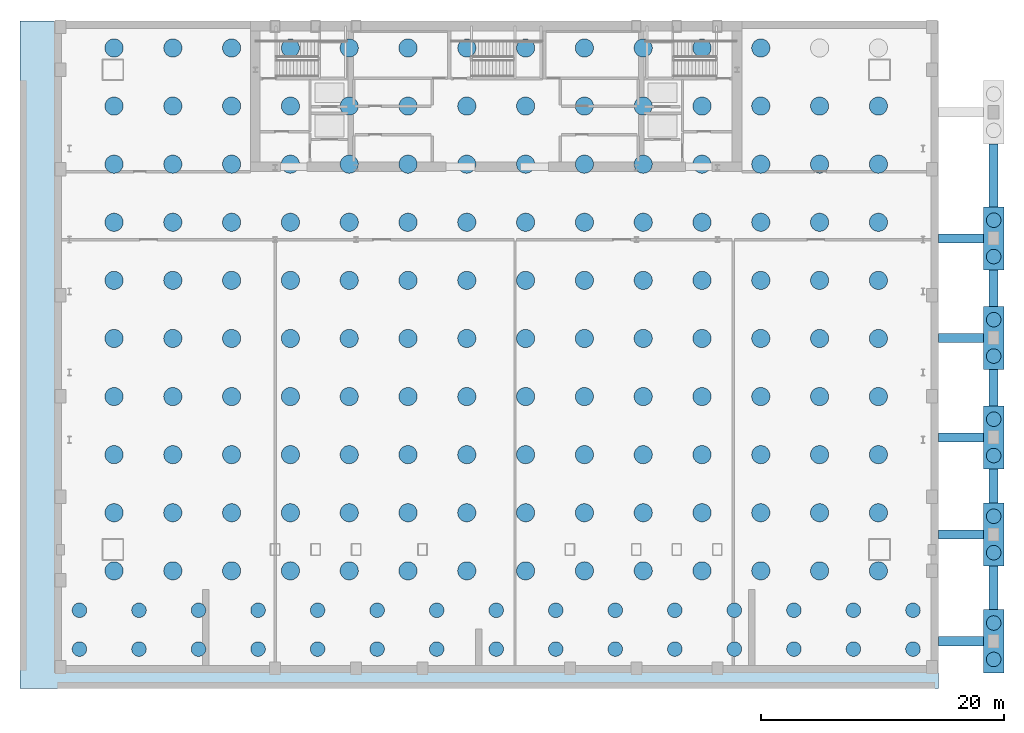
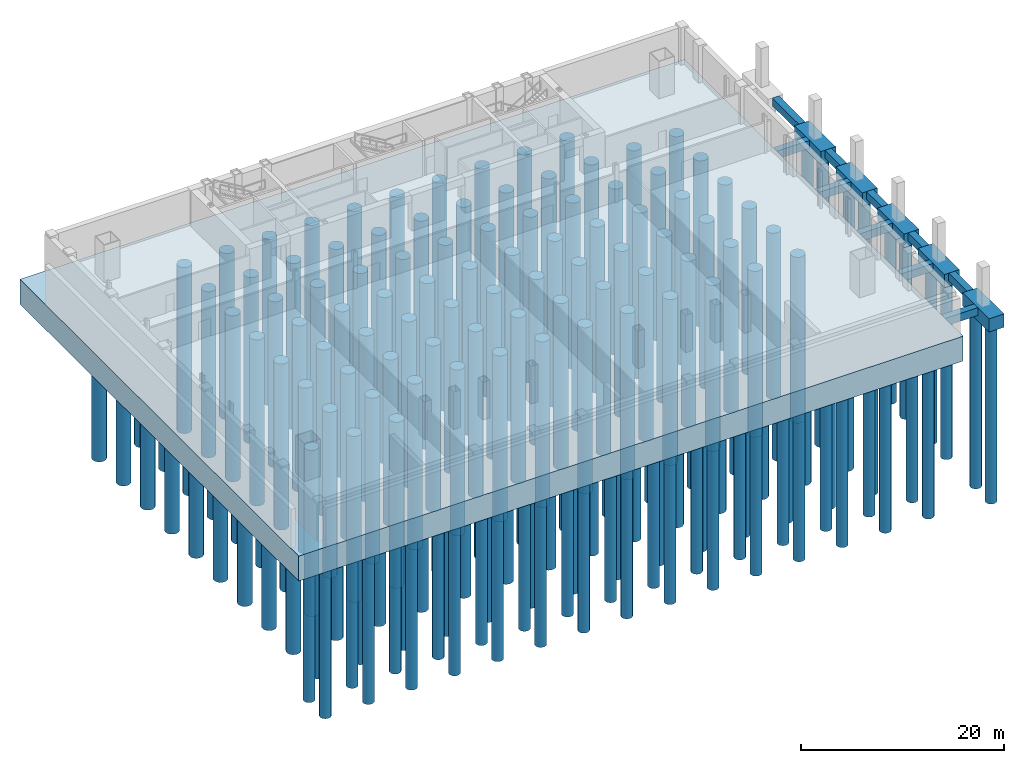
# One storey, part 1 of 11: 178 piles, 16 footings.
"""IFC4 building model written with IfcOpenShell, lengths in metres."""

from ifc_helpers import new_model, si_unit, direction, frame, origin, origin_2d, place, context, subcontext, project, spatial, polyline, rectangle, circle, outline, extrude, material, layer, layer_set, material_profile, profile_set, type_object, element, save


model = new_model("IFC4")

# Units and contexts
model_context = context("Model", 3, precision=1e-05, world=origin(), true_north=direction((0.0, 1.0)))
body_context = subcontext(model_context, "Body", "Model", "MODEL_VIEW")
ifc_project = project(units=[si_unit("LENGTHUNIT", "METRE"), si_unit("AREAUNIT", "SQUARE_METRE"), si_unit("VOLUMEUNIT", "CUBIC_METRE"), si_unit("PLANEANGLEUNIT", "RADIAN"), si_unit("MASSUNIT", "GRAM", prefix="KILO")], contexts=[model_context])

# Site, building, storey
site_placement = place(None, origin())
site = spatial("IfcSite", under=ifc_project, at=site_placement, CompositionType="ELEMENT")
building_placement = place(site_placement, origin())
building = spatial("IfcBuilding", under=site, at=building_placement, Name="Khoronbel Lancet Exchange", CompositionType="ELEMENT")
storey_placement = place(building_placement, frame((0.0, 0.0, -9.0)))
storey = spatial("IfcBuildingStorey", under=building, at=storey_placement, Name="B2", CompositionType="ELEMENT", Elevation=-9.0)

# Footings
ifc_material = material(Name="Concrete C50/60", Category="concrete")
ifc_material_profile_1 = material_profile(ifc_material, rectangle(XDim=0.75, YDim=0.949951171875, at=origin_2d()), Name="RC 750x950")
ifc_profile_set_1 = profile_set([ifc_material_profile_1], Name="Concrete C50/60")
footing_type_1 = type_object("IfcFootingType", Name="FT-GB1", PredefinedType="FOOTING_BEAM", material=ifc_profile_set_1)
for number, where, z_axis, x_axis, name in (
    (1, (72.89990234375, 2.60009765625, -0.675048828125), (1.0, 0.0, 0.0), (0.0, 1.0, 0.0), "Foundation tie beam GB-EW1"),
    (2, (72.89990234375, 11.39990234375, -0.675048828125), (1.0, 0.0, 0.0), (0.0, 1.0, 0.0), "Foundation tie beam GB-EW2"),
    (3, (72.89990234375, 19.39990234375, -0.675048828125), (1.0, 0.0, 0.0), (0.0, 1.0, 0.0), "Foundation tie beam GB-EW3"),
    (4, (72.89990234375, 27.60009765625, -0.675048828125), (1.0, 0.0, 0.0), (0.0, 1.0, 0.0), "Foundation tie beam GB-EW4"),
    (5, (72.89990234375, 35.800048828125, -0.675048828125), (1.0, 0.0, 0.0), (0.0, 1.0, 0.0), "Foundation tie beam GB-EW5"),
):
    element("IfcFooting", number, at=place(storey_placement, frame(where, z_axis=z_axis, x_axis=x_axis)), inside=storey, type_object=footing_type_1, Name=name, PredefinedType="FOOTING_BEAM", context=body_context, shape_type="SweptSolid", body=[
        extrude(rectangle(XDim=0.75, YDim=0.949951171875, at=origin_2d()), origin(), (0.0, 0.0, 1.0), 3.7001953125),
    ])
footing_1_placement = place(storey_placement, frame((77.449951171875, 5.199951171875, -0.675048828125), z_axis=(0.0, 1.0, 0.0), x_axis=(-1.0, 0.0, 0.0)))
element("IfcFooting", 6, at=footing_1_placement, inside=storey, type_object=footing_type_1, Name="Foundation tie beam GB-NS1", PredefinedType="FOOTING_BEAM", context=body_context, shape_type="SweptSolid", body=[
    extrude(rectangle(XDim=0.75, YDim=0.949951171875, at=origin_2d()), origin(), (0.0, 0.0, 1.0), 3.60009765625),
])
footing_2_placement = place(storey_placement, frame((77.449951171875, 14.0, -0.675048828125), z_axis=(0.0, 1.0, 0.0), x_axis=(-1.0, 0.0, 0.0)))
element("IfcFooting", 7, at=footing_2_placement, inside=storey, type_object=footing_type_1, Name="Foundation tie beam GB-NS2", PredefinedType="FOOTING_BEAM", context=body_context, shape_type="SweptSolid", body=[
    extrude(rectangle(XDim=0.75, YDim=0.949951171875, at=origin_2d()), origin(), (0.0, 0.0, 1.0), 2.800048828125),
])
for number, where, z_axis, x_axis, name in (
    (8, (77.449951171875, 22.0, -0.675048828125), (0.0, 1.0, 0.0), (-1.0, 0.0, 0.0), "Foundation tie beam GB-NS3"),
    (9, (77.449951171875, 30.199951171875, -0.675048828125), (0.0, 1.0, 0.0), (-1.0, 0.0, 0.0), "Foundation tie beam GB-NS4"),
):
    element("IfcFooting", number, at=place(storey_placement, frame(where, z_axis=z_axis, x_axis=x_axis)), inside=storey, type_object=footing_type_1, Name=name, PredefinedType="FOOTING_BEAM", context=body_context, shape_type="SweptSolid", body=[
        extrude(rectangle(XDim=0.75, YDim=0.949951171875, at=origin_2d()), origin(), (0.0, 0.0, 1.0), 3.0),
    ])
footing_3_placement = place(storey_placement, frame((77.449951171875, 38.39990234375, -0.675048828125), z_axis=(0.0, 1.0, 0.0), x_axis=(-1.0, 0.0, 0.0)))
element("IfcFooting", 10, at=footing_3_placement, inside=storey, type_object=footing_type_1, Name="Foundation tie beam GB-NS5", PredefinedType="FOOTING_BEAM", context=body_context, shape_type="SweptSolid", body=[
    extrude(rectangle(XDim=0.75, YDim=0.949951171875, at=origin_2d()), origin(), (0.0, 0.0, 1.0), 5.2001953125),
])
ifc_layer_1 = layer(ifc_material, 1.60009765625, Name="Concrete C50/60")
ifc_layer_set_1 = layer_set([ifc_layer_1], Name="Concrete C50/60")
footing_type_2 = type_object("IfcFootingType", Name="FT-PC2", PredefinedType="PILE_CAP", material=ifc_layer_set_1)
footing_4_placement = place(storey_placement, frame((0.0, 0.0, -1.800048828125)))
element("IfcFooting", 11, at=footing_4_placement, inside=storey, type_object=footing_type_2, Name="East colonnade pile cap PC1", PredefinedType="PILE_CAP", context=body_context, shape_type="SweptSolid", body=[
    extrude(outline(polyline([(76.60009765625, 0.0), (78.300048828125, 0.0), (78.300048828125, 5.199951171875), (76.60009765625, 5.199951171875), (76.60009765625, 0.0)])), origin(), (0.0, 0.0, 1.0), 1.60009765625),
])
footing_5_placement = place(storey_placement, frame((0.0, 0.0, -1.800048828125)))
element("IfcFooting", 12, at=footing_5_placement, inside=storey, type_object=footing_type_2, Name="East colonnade pile cap PC2", PredefinedType="PILE_CAP", context=body_context, shape_type="SweptSolid", body=[
    extrude(outline(polyline([(76.60009765625, 8.800048828125), (78.300048828125, 8.800048828125), (78.300048828125, 14.0), (76.60009765625, 14.0), (76.60009765625, 8.800048828125)])), origin(), (0.0, 0.0, 1.0), 1.60009765625),
])
footing_6_placement = place(storey_placement, frame((0.0, 0.0, -1.800048828125)))
element("IfcFooting", 13, at=footing_6_placement, inside=storey, type_object=footing_type_2, Name="East colonnade pile cap PC3", PredefinedType="PILE_CAP", context=body_context, shape_type="SweptSolid", body=[
    extrude(outline(polyline([(76.60009765625, 16.800048828125), (78.300048828125, 16.800048828125), (78.300048828125, 22.0), (76.60009765625, 22.0), (76.60009765625, 16.800048828125)])), origin(), (0.0, 0.0, 1.0), 1.60009765625),
])
footing_7_placement = place(storey_placement, frame((0.0, 0.0, -1.800048828125)))
element("IfcFooting", 14, at=footing_7_placement, inside=storey, type_object=footing_type_2, Name="East colonnade pile cap PC4", PredefinedType="PILE_CAP", context=body_context, shape_type="SweptSolid", body=[
    extrude(outline(polyline([(76.60009765625, 25.0), (78.300048828125, 25.0), (78.300048828125, 30.199951171875), (76.60009765625, 30.199951171875), (76.60009765625, 25.0)])), origin(), (0.0, 0.0, 1.0), 1.60009765625),
])
footing_8_placement = place(storey_placement, frame((0.0, 0.0, -1.800048828125)))
element("IfcFooting", 15, at=footing_8_placement, inside=storey, type_object=footing_type_2, Name="East colonnade pile cap PC5", PredefinedType="PILE_CAP", context=body_context, shape_type="SweptSolid", body=[
    extrude(outline(polyline([(76.60009765625, 33.199951171875), (78.300048828125, 33.199951171875), (78.300048828125, 38.39990234375), (76.60009765625, 38.39990234375), (76.60009765625, 33.199951171875)])), origin(), (0.0, 0.0, 1.0), 1.60009765625),
])
ifc_layer_2 = layer(ifc_material, 3.0, Name="Concrete C50/60")
ifc_layer_set_2 = layer_set([ifc_layer_2], Name="Concrete C50/60")
footing_type_3 = type_object("IfcFootingType", Name="FT-RF1", PredefinedType="PILE_CAP", material=ifc_layer_set_2)
footing_9_placement = place(storey_placement, frame((0.0, 0.0, -3.199951171875)))
element("IfcFooting", 16, at=footing_9_placement, inside=storey, type_object=footing_type_3, Name="Unified tower and podium piled raft RF1", PredefinedType="PILE_CAP", context=body_context, shape_type="SweptSolid", body=[
    extrude(outline(polyline([(-2.800048828125, -1.300048828125), (72.89990234375, -1.300048828125), (72.89990234375, 53.699951171875), (-2.800048828125, 53.699951171875), (-2.800048828125, -1.300048828125)])), origin(), (0.0, 0.0, 1.0), 3.0),
])

# Piles
ifc_material_profile_2 = material_profile(ifc_material, circle(Radius=0.60009765625, at=origin_2d()), Name="BORED PILE D1200")
ifc_profile_set_2 = profile_set([ifc_material_profile_2], Name="Concrete C50/60")
pile_type_1 = type_object("IfcPileType", Name="PL-P1", PredefinedType="BORED", material=ifc_profile_set_2)
for number, where, z_axis, x_axis, name in (
    (17, (77.449951171875, 1.10009765625, -1.64990234375), (0.0, 0.0, -1.0), (1.0, 0.0, 0.0), "Bored pile P1-PC1-1"),
    (18, (77.449951171875, 4.10009765625, -1.64990234375), (0.0, 0.0, -1.0), (1.0, 0.0, 0.0), "Bored pile P1-PC1-2"),
    (19, (77.449951171875, 9.89990234375, -1.64990234375), (0.0, 0.0, -1.0), (1.0, 0.0, 0.0), "Bored pile P1-PC2-1"),
    (20, (77.449951171875, 12.89990234375, -1.64990234375), (0.0, 0.0, -1.0), (1.0, 0.0, 0.0), "Bored pile P1-PC2-2"),
    (21, (77.449951171875, 17.89990234375, -1.64990234375), (0.0, 0.0, -1.0), (1.0, 0.0, 0.0), "Bored pile P1-PC3-1"),
    (22, (77.449951171875, 20.89990234375, -1.64990234375), (0.0, 0.0, -1.0), (1.0, 0.0, 0.0), "Bored pile P1-PC3-2"),
    (23, (77.449951171875, 26.10009765625, -1.64990234375), (0.0, 0.0, -1.0), (1.0, 0.0, 0.0), "Bored pile P1-PC4-1"),
    (24, (77.449951171875, 29.10009765625, -1.64990234375), (0.0, 0.0, -1.0), (1.0, 0.0, 0.0), "Bored pile P1-PC4-2"),
    (25, (77.449951171875, 34.300048828125, -1.64990234375), (0.0, 0.0, -1.0), (1.0, 0.0, 0.0), "Bored pile P1-PC5-1"),
    (26, (77.449951171875, 37.300048828125, -1.64990234375), (0.0, 0.0, -1.0), (1.0, 0.0, 0.0), "Bored pile P1-PC5-2"),
):
    element("IfcPile", number, at=place(storey_placement, frame(where, z_axis=z_axis, x_axis=x_axis)), inside=storey, type_object=pile_type_1, Name=name, PredefinedType="BORED", context=body_context, shape_type="SweptSolid", body=[
        extrude(circle(Radius=0.60009765625, at=origin_2d()), origin(), (0.0, 0.0, 1.0), 21.39990234375),
    ])
for number, where, z_axis, x_axis, name in (
    (27, (2.10009765625, 1.949951171875, -3.050048828125), (0.0, 0.0, -1.0), (1.0, 0.0, 0.0), "Podium raft bored pile P1-001"),
    (28, (7.007080078125, 1.949951171875, -3.050048828125), (0.0, 0.0, -1.0), (1.0, 0.0, 0.0), "Podium raft bored pile P1-002"),
    (29, (11.9140625, 1.949951171875, -3.050048828125), (0.0, 0.0, -1.0), (1.0, 0.0, 0.0), "Podium raft bored pile P1-003"),
    (30, (16.821044921875, 1.949951171875, -3.050048828125), (0.0, 0.0, -1.0), (1.0, 0.0, 0.0), "Podium raft bored pile P1-004"),
    (31, (21.72802734375, 1.949951171875, -3.050048828125), (0.0, 0.0, -1.0), (1.0, 0.0, 0.0), "Podium raft bored pile P1-005"),
    (32, (26.635009765625, 1.949951171875, -3.050048828125), (0.0, 0.0, -1.0), (1.0, 0.0, 0.0), "Podium raft bored pile P1-006"),
    (33, (31.5419921875, 1.949951171875, -3.050048828125), (0.0, 0.0, -1.0), (1.0, 0.0, 0.0), "Podium raft bored pile P1-007"),
    (34, (36.448974609375, 1.949951171875, -3.050048828125), (0.0, 0.0, -1.0), (1.0, 0.0, 0.0), "Podium raft bored pile P1-008"),
    (35, (41.35595703125, 1.949951171875, -3.050048828125), (0.0, 0.0, -1.0), (1.0, 0.0, 0.0), "Podium raft bored pile P1-009"),
    (36, (46.262939453125, 1.949951171875, -3.050048828125), (0.0, 0.0, -1.0), (1.0, 0.0, 0.0), "Podium raft bored pile P1-010"),
    (37, (51.169921875, 1.949951171875, -3.050048828125), (0.0, 0.0, -1.0), (1.0, 0.0, 0.0), "Podium raft bored pile P1-011"),
    (38, (56.076904296875, 1.949951171875, -3.050048828125), (0.0, 0.0, -1.0), (1.0, 0.0, 0.0), "Podium raft bored pile P1-012"),
    (39, (60.98388671875, 1.949951171875, -3.050048828125), (0.0, 0.0, -1.0), (1.0, 0.0, 0.0), "Podium raft bored pile P1-013"),
    (40, (65.89111328125, 1.949951171875, -3.050048828125), (0.0, 0.0, -1.0), (1.0, 0.0, 0.0), "Podium raft bored pile P1-014"),
    (41, (70.798095703125, 1.949951171875, -3.050048828125), (0.0, 0.0, -1.0), (1.0, 0.0, 0.0), "Podium raft bored pile P1-015"),
    (42, (2.10009765625, 5.14990234375, -3.050048828125), (0.0, 0.0, -1.0), (1.0, 0.0, 0.0), "Podium raft bored pile P1-016"),
    (43, (7.007080078125, 5.14990234375, -3.050048828125), (0.0, 0.0, -1.0), (1.0, 0.0, 0.0), "Podium raft bored pile P1-017"),
    (44, (11.9140625, 5.14990234375, -3.050048828125), (0.0, 0.0, -1.0), (1.0, 0.0, 0.0), "Podium raft bored pile P1-018"),
    (45, (16.821044921875, 5.14990234375, -3.050048828125), (0.0, 0.0, -1.0), (1.0, 0.0, 0.0), "Podium raft bored pile P1-019"),
    (46, (21.72802734375, 5.14990234375, -3.050048828125), (0.0, 0.0, -1.0), (1.0, 0.0, 0.0), "Podium raft bored pile P1-020"),
    (47, (26.635009765625, 5.14990234375, -3.050048828125), (0.0, 0.0, -1.0), (1.0, 0.0, 0.0), "Podium raft bored pile P1-021"),
    (48, (31.5419921875, 5.14990234375, -3.050048828125), (0.0, 0.0, -1.0), (1.0, 0.0, 0.0), "Podium raft bored pile P1-022"),
    (49, (36.448974609375, 5.14990234375, -3.050048828125), (0.0, 0.0, -1.0), (1.0, 0.0, 0.0), "Podium raft bored pile P1-023"),
    (50, (41.35595703125, 5.14990234375, -3.050048828125), (0.0, 0.0, -1.0), (1.0, 0.0, 0.0), "Podium raft bored pile P1-024"),
    (51, (46.262939453125, 5.14990234375, -3.050048828125), (0.0, 0.0, -1.0), (1.0, 0.0, 0.0), "Podium raft bored pile P1-025"),
    (52, (51.169921875, 5.14990234375, -3.050048828125), (0.0, 0.0, -1.0), (1.0, 0.0, 0.0), "Podium raft bored pile P1-026"),
    (53, (56.076904296875, 5.14990234375, -3.050048828125), (0.0, 0.0, -1.0), (1.0, 0.0, 0.0), "Podium raft bored pile P1-027"),
    (54, (60.98388671875, 5.14990234375, -3.050048828125), (0.0, 0.0, -1.0), (1.0, 0.0, 0.0), "Podium raft bored pile P1-028"),
    (55, (65.89111328125, 5.14990234375, -3.050048828125), (0.0, 0.0, -1.0), (1.0, 0.0, 0.0), "Podium raft bored pile P1-029"),
    (56, (70.798095703125, 5.14990234375, -3.050048828125), (0.0, 0.0, -1.0), (1.0, 0.0, 0.0), "Podium raft bored pile P1-030"),
):
    element("IfcPile", number, at=place(storey_placement, frame(where, z_axis=z_axis, x_axis=x_axis)), inside=storey, type_object=pile_type_1, Name=name, PredefinedType="BORED", context=body_context, shape_type="SweptSolid", body=[
        extrude(circle(Radius=0.60009765625, at=origin_2d()), origin(), (0.0, 0.0, 1.0), 20.0),
    ])
ifc_material_profile_3 = material_profile(ifc_material, circle(Radius=0.75, at=origin_2d()), Name="BORED PILE D1500")
ifc_profile_set_3 = profile_set([ifc_material_profile_3], Name="Concrete C50/60")
pile_type_2 = type_object("IfcPileType", Name="PL-P2", PredefinedType="BORED", material=ifc_profile_set_3)
for number, where, z_axis, x_axis, name in (
    (57, (4.949951171875, 8.39990234375, -3.050048828125), (0.0, 0.0, -1.0), (1.0, 0.0, 0.0), "Tower raft bored pile P2-001"),
    (58, (4.949951171875, 13.18798828125, -3.050048828125), (0.0, 0.0, -1.0), (1.0, 0.0, 0.0), "Tower raft bored pile P2-002"),
    (59, (4.949951171875, 17.97607421875, -3.050048828125), (0.0, 0.0, -1.0), (1.0, 0.0, 0.0), "Tower raft bored pile P2-003"),
    (60, (4.949951171875, 22.763916015625, -3.050048828125), (0.0, 0.0, -1.0), (1.0, 0.0, 0.0), "Tower raft bored pile P2-004"),
    (61, (4.949951171875, 27.552001953125, -3.050048828125), (0.0, 0.0, -1.0), (1.0, 0.0, 0.0), "Tower raft bored pile P2-005"),
    (62, (4.949951171875, 32.340087890625, -3.050048828125), (0.0, 0.0, -1.0), (1.0, 0.0, 0.0), "Tower raft bored pile P2-006"),
    (63, (4.949951171875, 37.1279296875, -3.050048828125), (0.0, 0.0, -1.0), (1.0, 0.0, 0.0), "Tower raft bored pile P2-007"),
    (64, (4.949951171875, 41.916015625, -3.050048828125), (0.0, 0.0, -1.0), (1.0, 0.0, 0.0), "Tower raft bored pile P2-008"),
    (65, (4.949951171875, 46.7041015625, -3.050048828125), (0.0, 0.0, -1.0), (1.0, 0.0, 0.0), "Tower raft bored pile P2-009"),
    (66, (4.949951171875, 51.491943359375, -3.050048828125), (0.0, 0.0, -1.0), (1.0, 0.0, 0.0), "Tower raft bored pile P2-010"),
    (67, (9.7958984375, 8.39990234375, -3.050048828125), (0.0, 0.0, -1.0), (1.0, 0.0, 0.0), "Tower raft bored pile P2-011"),
    (68, (9.7958984375, 13.18798828125, -3.050048828125), (0.0, 0.0, -1.0), (1.0, 0.0, 0.0), "Tower raft bored pile P2-012"),
    (69, (9.7958984375, 17.97607421875, -3.050048828125), (0.0, 0.0, -1.0), (1.0, 0.0, 0.0), "Tower raft bored pile P2-013"),
    (70, (9.7958984375, 22.763916015625, -3.050048828125), (0.0, 0.0, -1.0), (1.0, 0.0, 0.0), "Tower raft bored pile P2-014"),
    (71, (9.7958984375, 27.552001953125, -3.050048828125), (0.0, 0.0, -1.0), (1.0, 0.0, 0.0), "Tower raft bored pile P2-015"),
    (72, (9.7958984375, 32.340087890625, -3.050048828125), (0.0, 0.0, -1.0), (1.0, 0.0, 0.0), "Tower raft bored pile P2-016"),
    (73, (9.7958984375, 37.1279296875, -3.050048828125), (0.0, 0.0, -1.0), (1.0, 0.0, 0.0), "Tower raft bored pile P2-017"),
    (74, (9.7958984375, 41.916015625, -3.050048828125), (0.0, 0.0, -1.0), (1.0, 0.0, 0.0), "Tower raft bored pile P2-018"),
    (75, (9.7958984375, 46.7041015625, -3.050048828125), (0.0, 0.0, -1.0), (1.0, 0.0, 0.0), "Tower raft bored pile P2-019"),
    (76, (9.7958984375, 51.491943359375, -3.050048828125), (0.0, 0.0, -1.0), (1.0, 0.0, 0.0), "Tower raft bored pile P2-020"),
    (77, (14.64208984375, 8.39990234375, -3.050048828125), (0.0, 0.0, -1.0), (1.0, 0.0, 0.0), "Tower raft bored pile P2-021"),
    (78, (14.64208984375, 13.18798828125, -3.050048828125), (0.0, 0.0, -1.0), (1.0, 0.0, 0.0), "Tower raft bored pile P2-022"),
    (79, (14.64208984375, 17.97607421875, -3.050048828125), (0.0, 0.0, -1.0), (1.0, 0.0, 0.0), "Tower raft bored pile P2-023"),
    (80, (14.64208984375, 22.763916015625, -3.050048828125), (0.0, 0.0, -1.0), (1.0, 0.0, 0.0), "Tower raft bored pile P2-024"),
    (81, (14.64208984375, 27.552001953125, -3.050048828125), (0.0, 0.0, -1.0), (1.0, 0.0, 0.0), "Tower raft bored pile P2-025"),
    (82, (14.64208984375, 32.340087890625, -3.050048828125), (0.0, 0.0, -1.0), (1.0, 0.0, 0.0), "Tower raft bored pile P2-026"),
    (83, (14.64208984375, 37.1279296875, -3.050048828125), (0.0, 0.0, -1.0), (1.0, 0.0, 0.0), "Tower raft bored pile P2-027"),
    (84, (14.64208984375, 41.916015625, -3.050048828125), (0.0, 0.0, -1.0), (1.0, 0.0, 0.0), "Tower raft bored pile P2-028"),
    (85, (14.64208984375, 46.7041015625, -3.050048828125), (0.0, 0.0, -1.0), (1.0, 0.0, 0.0), "Tower raft bored pile P2-029"),
    (86, (14.64208984375, 51.491943359375, -3.050048828125), (0.0, 0.0, -1.0), (1.0, 0.0, 0.0), "Tower raft bored pile P2-030"),
    (87, (19.488037109375, 8.39990234375, -3.050048828125), (0.0, 0.0, -1.0), (1.0, 0.0, 0.0), "Tower raft bored pile P2-031"),
    (88, (19.488037109375, 13.18798828125, -3.050048828125), (0.0, 0.0, -1.0), (1.0, 0.0, 0.0), "Tower raft bored pile P2-032"),
    (89, (19.488037109375, 17.97607421875, -3.050048828125), (0.0, 0.0, -1.0), (1.0, 0.0, 0.0), "Tower raft bored pile P2-033"),
    (90, (19.488037109375, 22.763916015625, -3.050048828125), (0.0, 0.0, -1.0), (1.0, 0.0, 0.0), "Tower raft bored pile P2-034"),
    (91, (19.488037109375, 27.552001953125, -3.050048828125), (0.0, 0.0, -1.0), (1.0, 0.0, 0.0), "Tower raft bored pile P2-035"),
    (92, (19.488037109375, 32.340087890625, -3.050048828125), (0.0, 0.0, -1.0), (1.0, 0.0, 0.0), "Tower raft bored pile P2-036"),
    (93, (19.488037109375, 37.1279296875, -3.050048828125), (0.0, 0.0, -1.0), (1.0, 0.0, 0.0), "Tower raft bored pile P2-037"),
    (94, (19.488037109375, 41.916015625, -3.050048828125), (0.0, 0.0, -1.0), (1.0, 0.0, 0.0), "Tower raft bored pile P2-038"),
    (95, (19.488037109375, 46.7041015625, -3.050048828125), (0.0, 0.0, -1.0), (1.0, 0.0, 0.0), "Tower raft bored pile P2-039"),
    (96, (19.488037109375, 51.491943359375, -3.050048828125), (0.0, 0.0, -1.0), (1.0, 0.0, 0.0), "Tower raft bored pile P2-040"),
    (97, (24.333984375, 8.39990234375, -3.050048828125), (0.0, 0.0, -1.0), (1.0, 0.0, 0.0), "Tower raft bored pile P2-041"),
    (98, (24.333984375, 13.18798828125, -3.050048828125), (0.0, 0.0, -1.0), (1.0, 0.0, 0.0), "Tower raft bored pile P2-042"),
    (99, (24.333984375, 17.97607421875, -3.050048828125), (0.0, 0.0, -1.0), (1.0, 0.0, 0.0), "Tower raft bored pile P2-043"),
    (100, (24.333984375, 22.763916015625, -3.050048828125), (0.0, 0.0, -1.0), (1.0, 0.0, 0.0), "Tower raft bored pile P2-044"),
    (101, (24.333984375, 27.552001953125, -3.050048828125), (0.0, 0.0, -1.0), (1.0, 0.0, 0.0), "Tower raft bored pile P2-045"),
    (102, (24.333984375, 32.340087890625, -3.050048828125), (0.0, 0.0, -1.0), (1.0, 0.0, 0.0), "Tower raft bored pile P2-046"),
    (103, (24.333984375, 37.1279296875, -3.050048828125), (0.0, 0.0, -1.0), (1.0, 0.0, 0.0), "Tower raft bored pile P2-047"),
    (104, (24.333984375, 41.916015625, -3.050048828125), (0.0, 0.0, -1.0), (1.0, 0.0, 0.0), "Tower raft bored pile P2-048"),
    (105, (24.333984375, 46.7041015625, -3.050048828125), (0.0, 0.0, -1.0), (1.0, 0.0, 0.0), "Tower raft bored pile P2-049"),
    (106, (24.333984375, 51.491943359375, -3.050048828125), (0.0, 0.0, -1.0), (1.0, 0.0, 0.0), "Tower raft bored pile P2-050"),
    (107, (29.179931640625, 8.39990234375, -3.050048828125), (0.0, 0.0, -1.0), (1.0, 0.0, 0.0), "Tower raft bored pile P2-051"),
    (108, (29.179931640625, 13.18798828125, -3.050048828125), (0.0, 0.0, -1.0), (1.0, 0.0, 0.0), "Tower raft bored pile P2-052"),
    (109, (29.179931640625, 17.97607421875, -3.050048828125), (0.0, 0.0, -1.0), (1.0, 0.0, 0.0), "Tower raft bored pile P2-053"),
    (110, (29.179931640625, 22.763916015625, -3.050048828125), (0.0, 0.0, -1.0), (1.0, 0.0, 0.0), "Tower raft bored pile P2-054"),
    (111, (29.179931640625, 27.552001953125, -3.050048828125), (0.0, 0.0, -1.0), (1.0, 0.0, 0.0), "Tower raft bored pile P2-055"),
    (112, (29.179931640625, 32.340087890625, -3.050048828125), (0.0, 0.0, -1.0), (1.0, 0.0, 0.0), "Tower raft bored pile P2-056"),
    (113, (29.179931640625, 37.1279296875, -3.050048828125), (0.0, 0.0, -1.0), (1.0, 0.0, 0.0), "Tower raft bored pile P2-057"),
    (114, (29.179931640625, 41.916015625, -3.050048828125), (0.0, 0.0, -1.0), (1.0, 0.0, 0.0), "Tower raft bored pile P2-058"),
    (115, (29.179931640625, 46.7041015625, -3.050048828125), (0.0, 0.0, -1.0), (1.0, 0.0, 0.0), "Tower raft bored pile P2-059"),
    (116, (29.179931640625, 51.491943359375, -3.050048828125), (0.0, 0.0, -1.0), (1.0, 0.0, 0.0), "Tower raft bored pile P2-060"),
    (117, (34.02587890625, 8.39990234375, -3.050048828125), (0.0, 0.0, -1.0), (1.0, 0.0, 0.0), "Tower raft bored pile P2-061"),
    (118, (34.02587890625, 13.18798828125, -3.050048828125), (0.0, 0.0, -1.0), (1.0, 0.0, 0.0), "Tower raft bored pile P2-062"),
    (119, (34.02587890625, 17.97607421875, -3.050048828125), (0.0, 0.0, -1.0), (1.0, 0.0, 0.0), "Tower raft bored pile P2-063"),
    (120, (34.02587890625, 22.763916015625, -3.050048828125), (0.0, 0.0, -1.0), (1.0, 0.0, 0.0), "Tower raft bored pile P2-064"),
    (121, (34.02587890625, 27.552001953125, -3.050048828125), (0.0, 0.0, -1.0), (1.0, 0.0, 0.0), "Tower raft bored pile P2-065"),
    (122, (34.02587890625, 32.340087890625, -3.050048828125), (0.0, 0.0, -1.0), (1.0, 0.0, 0.0), "Tower raft bored pile P2-066"),
    (123, (34.02587890625, 37.1279296875, -3.050048828125), (0.0, 0.0, -1.0), (1.0, 0.0, 0.0), "Tower raft bored pile P2-067"),
    (124, (34.02587890625, 41.916015625, -3.050048828125), (0.0, 0.0, -1.0), (1.0, 0.0, 0.0), "Tower raft bored pile P2-068"),
    (125, (34.02587890625, 46.7041015625, -3.050048828125), (0.0, 0.0, -1.0), (1.0, 0.0, 0.0), "Tower raft bored pile P2-069"),
    (126, (34.02587890625, 51.491943359375, -3.050048828125), (0.0, 0.0, -1.0), (1.0, 0.0, 0.0), "Tower raft bored pile P2-070"),
    (127, (38.8720703125, 8.39990234375, -3.050048828125), (0.0, 0.0, -1.0), (1.0, 0.0, 0.0), "Tower raft bored pile P2-071"),
    (128, (38.8720703125, 13.18798828125, -3.050048828125), (0.0, 0.0, -1.0), (1.0, 0.0, 0.0), "Tower raft bored pile P2-072"),
    (129, (38.8720703125, 17.97607421875, -3.050048828125), (0.0, 0.0, -1.0), (1.0, 0.0, 0.0), "Tower raft bored pile P2-073"),
    (130, (38.8720703125, 22.763916015625, -3.050048828125), (0.0, 0.0, -1.0), (1.0, 0.0, 0.0), "Tower raft bored pile P2-074"),
    (131, (38.8720703125, 27.552001953125, -3.050048828125), (0.0, 0.0, -1.0), (1.0, 0.0, 0.0), "Tower raft bored pile P2-075"),
    (132, (38.8720703125, 32.340087890625, -3.050048828125), (0.0, 0.0, -1.0), (1.0, 0.0, 0.0), "Tower raft bored pile P2-076"),
    (133, (38.8720703125, 37.1279296875, -3.050048828125), (0.0, 0.0, -1.0), (1.0, 0.0, 0.0), "Tower raft bored pile P2-077"),
    (134, (38.8720703125, 41.916015625, -3.050048828125), (0.0, 0.0, -1.0), (1.0, 0.0, 0.0), "Tower raft bored pile P2-078"),
    (135, (38.8720703125, 46.7041015625, -3.050048828125), (0.0, 0.0, -1.0), (1.0, 0.0, 0.0), "Tower raft bored pile P2-079"),
    (136, (38.8720703125, 51.491943359375, -3.050048828125), (0.0, 0.0, -1.0), (1.0, 0.0, 0.0), "Tower raft bored pile P2-080"),
    (137, (43.718017578125, 8.39990234375, -3.050048828125), (0.0, 0.0, -1.0), (1.0, 0.0, 0.0), "Tower raft bored pile P2-081"),
    (138, (43.718017578125, 13.18798828125, -3.050048828125), (0.0, 0.0, -1.0), (1.0, 0.0, 0.0), "Tower raft bored pile P2-082"),
    (139, (43.718017578125, 17.97607421875, -3.050048828125), (0.0, 0.0, -1.0), (1.0, 0.0, 0.0), "Tower raft bored pile P2-083"),
    (140, (43.718017578125, 22.763916015625, -3.050048828125), (0.0, 0.0, -1.0), (1.0, 0.0, 0.0), "Tower raft bored pile P2-084"),
    (141, (43.718017578125, 27.552001953125, -3.050048828125), (0.0, 0.0, -1.0), (1.0, 0.0, 0.0), "Tower raft bored pile P2-085"),
    (142, (43.718017578125, 32.340087890625, -3.050048828125), (0.0, 0.0, -1.0), (1.0, 0.0, 0.0), "Tower raft bored pile P2-086"),
    (143, (43.718017578125, 37.1279296875, -3.050048828125), (0.0, 0.0, -1.0), (1.0, 0.0, 0.0), "Tower raft bored pile P2-087"),
    (144, (43.718017578125, 41.916015625, -3.050048828125), (0.0, 0.0, -1.0), (1.0, 0.0, 0.0), "Tower raft bored pile P2-088"),
    (145, (43.718017578125, 46.7041015625, -3.050048828125), (0.0, 0.0, -1.0), (1.0, 0.0, 0.0), "Tower raft bored pile P2-089"),
    (146, (43.718017578125, 51.491943359375, -3.050048828125), (0.0, 0.0, -1.0), (1.0, 0.0, 0.0), "Tower raft bored pile P2-090"),
    (147, (48.56396484375, 8.39990234375, -3.050048828125), (0.0, 0.0, -1.0), (1.0, 0.0, 0.0), "Tower raft bored pile P2-091"),
    (148, (48.56396484375, 13.18798828125, -3.050048828125), (0.0, 0.0, -1.0), (1.0, 0.0, 0.0), "Tower raft bored pile P2-092"),
    (149, (48.56396484375, 17.97607421875, -3.050048828125), (0.0, 0.0, -1.0), (1.0, 0.0, 0.0), "Tower raft bored pile P2-093"),
    (150, (48.56396484375, 22.763916015625, -3.050048828125), (0.0, 0.0, -1.0), (1.0, 0.0, 0.0), "Tower raft bored pile P2-094"),
    (151, (48.56396484375, 27.552001953125, -3.050048828125), (0.0, 0.0, -1.0), (1.0, 0.0, 0.0), "Tower raft bored pile P2-095"),
    (152, (48.56396484375, 32.340087890625, -3.050048828125), (0.0, 0.0, -1.0), (1.0, 0.0, 0.0), "Tower raft bored pile P2-096"),
    (153, (48.56396484375, 37.1279296875, -3.050048828125), (0.0, 0.0, -1.0), (1.0, 0.0, 0.0), "Tower raft bored pile P2-097"),
    (154, (48.56396484375, 41.916015625, -3.050048828125), (0.0, 0.0, -1.0), (1.0, 0.0, 0.0), "Tower raft bored pile P2-098"),
    (155, (48.56396484375, 46.7041015625, -3.050048828125), (0.0, 0.0, -1.0), (1.0, 0.0, 0.0), "Tower raft bored pile P2-099"),
    (156, (48.56396484375, 51.491943359375, -3.050048828125), (0.0, 0.0, -1.0), (1.0, 0.0, 0.0), "Tower raft bored pile P2-100"),
    (157, (53.409912109375, 8.39990234375, -3.050048828125), (0.0, 0.0, -1.0), (1.0, 0.0, 0.0), "Tower raft bored pile P2-101"),
    (158, (53.409912109375, 13.18798828125, -3.050048828125), (0.0, 0.0, -1.0), (1.0, 0.0, 0.0), "Tower raft bored pile P2-102"),
    (159, (53.409912109375, 17.97607421875, -3.050048828125), (0.0, 0.0, -1.0), (1.0, 0.0, 0.0), "Tower raft bored pile P2-103"),
    (160, (53.409912109375, 22.763916015625, -3.050048828125), (0.0, 0.0, -1.0), (1.0, 0.0, 0.0), "Tower raft bored pile P2-104"),
    (161, (53.409912109375, 27.552001953125, -3.050048828125), (0.0, 0.0, -1.0), (1.0, 0.0, 0.0), "Tower raft bored pile P2-105"),
    (162, (53.409912109375, 32.340087890625, -3.050048828125), (0.0, 0.0, -1.0), (1.0, 0.0, 0.0), "Tower raft bored pile P2-106"),
    (163, (53.409912109375, 37.1279296875, -3.050048828125), (0.0, 0.0, -1.0), (1.0, 0.0, 0.0), "Tower raft bored pile P2-107"),
    (164, (53.409912109375, 41.916015625, -3.050048828125), (0.0, 0.0, -1.0), (1.0, 0.0, 0.0), "Tower raft bored pile P2-108"),
    (165, (53.409912109375, 46.7041015625, -3.050048828125), (0.0, 0.0, -1.0), (1.0, 0.0, 0.0), "Tower raft bored pile P2-109"),
    (166, (53.409912109375, 51.491943359375, -3.050048828125), (0.0, 0.0, -1.0), (1.0, 0.0, 0.0), "Tower raft bored pile P2-110"),
    (167, (58.256103515625, 8.39990234375, -3.050048828125), (0.0, 0.0, -1.0), (1.0, 0.0, 0.0), "Tower raft bored pile P2-111"),
    (168, (58.256103515625, 13.18798828125, -3.050048828125), (0.0, 0.0, -1.0), (1.0, 0.0, 0.0), "Tower raft bored pile P2-112"),
    (169, (58.256103515625, 17.97607421875, -3.050048828125), (0.0, 0.0, -1.0), (1.0, 0.0, 0.0), "Tower raft bored pile P2-113"),
    (170, (58.256103515625, 22.763916015625, -3.050048828125), (0.0, 0.0, -1.0), (1.0, 0.0, 0.0), "Tower raft bored pile P2-114"),
    (171, (58.256103515625, 27.552001953125, -3.050048828125), (0.0, 0.0, -1.0), (1.0, 0.0, 0.0), "Tower raft bored pile P2-115"),
    (172, (58.256103515625, 32.340087890625, -3.050048828125), (0.0, 0.0, -1.0), (1.0, 0.0, 0.0), "Tower raft bored pile P2-116"),
    (173, (58.256103515625, 37.1279296875, -3.050048828125), (0.0, 0.0, -1.0), (1.0, 0.0, 0.0), "Tower raft bored pile P2-117"),
    (174, (58.256103515625, 41.916015625, -3.050048828125), (0.0, 0.0, -1.0), (1.0, 0.0, 0.0), "Tower raft bored pile P2-118"),
    (175, (58.256103515625, 46.7041015625, -3.050048828125), (0.0, 0.0, -1.0), (1.0, 0.0, 0.0), "Tower raft bored pile P2-119"),
    (176, (58.256103515625, 51.491943359375, -3.050048828125), (0.0, 0.0, -1.0), (1.0, 0.0, 0.0), "Tower raft bored pile P2-120"),
    (177, (63.10205078125, 8.39990234375, -3.050048828125), (0.0, 0.0, -1.0), (1.0, 0.0, 0.0), "Tower raft bored pile P2-121"),
    (178, (63.10205078125, 13.18798828125, -3.050048828125), (0.0, 0.0, -1.0), (1.0, 0.0, 0.0), "Tower raft bored pile P2-122"),
    (179, (63.10205078125, 17.97607421875, -3.050048828125), (0.0, 0.0, -1.0), (1.0, 0.0, 0.0), "Tower raft bored pile P2-123"),
    (180, (63.10205078125, 22.763916015625, -3.050048828125), (0.0, 0.0, -1.0), (1.0, 0.0, 0.0), "Tower raft bored pile P2-124"),
    (181, (63.10205078125, 27.552001953125, -3.050048828125), (0.0, 0.0, -1.0), (1.0, 0.0, 0.0), "Tower raft bored pile P2-125"),
    (182, (63.10205078125, 32.340087890625, -3.050048828125), (0.0, 0.0, -1.0), (1.0, 0.0, 0.0), "Tower raft bored pile P2-126"),
    (183, (63.10205078125, 37.1279296875, -3.050048828125), (0.0, 0.0, -1.0), (1.0, 0.0, 0.0), "Tower raft bored pile P2-127"),
    (184, (63.10205078125, 41.916015625, -3.050048828125), (0.0, 0.0, -1.0), (1.0, 0.0, 0.0), "Tower raft bored pile P2-128"),
    (185, (63.10205078125, 46.7041015625, -3.050048828125), (0.0, 0.0, -1.0), (1.0, 0.0, 0.0), "Tower raft bored pile P2-129"),
    (186, (67.947998046875, 8.39990234375, -3.050048828125), (0.0, 0.0, -1.0), (1.0, 0.0, 0.0), "Tower raft bored pile P2-131"),
    (187, (67.947998046875, 13.18798828125, -3.050048828125), (0.0, 0.0, -1.0), (1.0, 0.0, 0.0), "Tower raft bored pile P2-132"),
    (188, (67.947998046875, 17.97607421875, -3.050048828125), (0.0, 0.0, -1.0), (1.0, 0.0, 0.0), "Tower raft bored pile P2-133"),
    (189, (67.947998046875, 22.763916015625, -3.050048828125), (0.0, 0.0, -1.0), (1.0, 0.0, 0.0), "Tower raft bored pile P2-134"),
    (190, (67.947998046875, 27.552001953125, -3.050048828125), (0.0, 0.0, -1.0), (1.0, 0.0, 0.0), "Tower raft bored pile P2-135"),
    (191, (67.947998046875, 32.340087890625, -3.050048828125), (0.0, 0.0, -1.0), (1.0, 0.0, 0.0), "Tower raft bored pile P2-136"),
    (192, (67.947998046875, 37.1279296875, -3.050048828125), (0.0, 0.0, -1.0), (1.0, 0.0, 0.0), "Tower raft bored pile P2-137"),
    (193, (67.947998046875, 41.916015625, -3.050048828125), (0.0, 0.0, -1.0), (1.0, 0.0, 0.0), "Tower raft bored pile P2-138"),
    (194, (67.947998046875, 46.7041015625, -3.050048828125), (0.0, 0.0, -1.0), (1.0, 0.0, 0.0), "Tower raft bored pile P2-139"),
):
    element("IfcPile", number, at=place(storey_placement, frame(where, z_axis=z_axis, x_axis=x_axis)), inside=storey, type_object=pile_type_2, Name=name, PredefinedType="BORED", context=body_context, shape_type="SweptSolid", body=[
        extrude(circle(Radius=0.75, at=origin_2d()), origin(), (0.0, 0.0, 1.0), 20.0),
    ])

save(model, "model.ifc")
